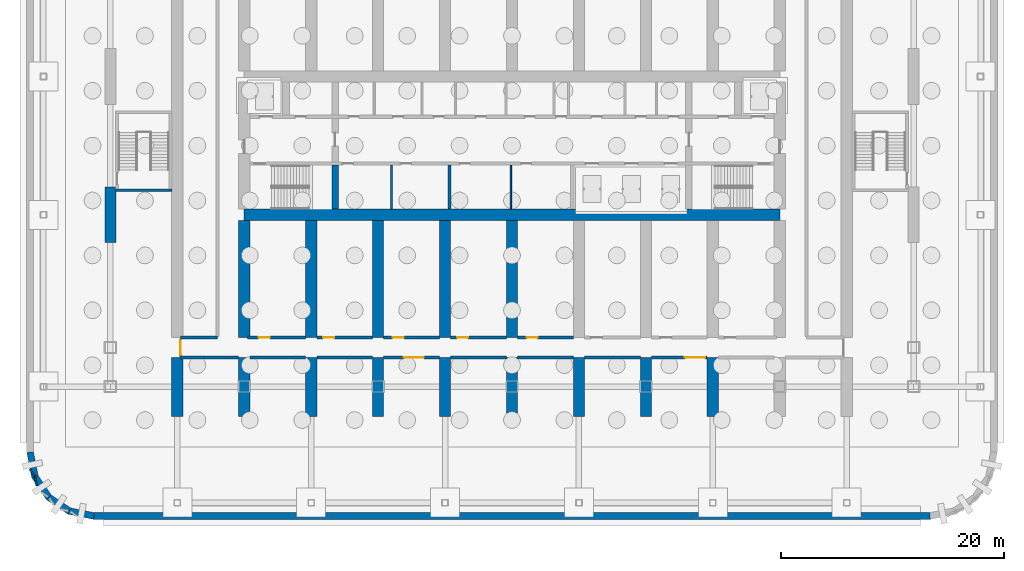
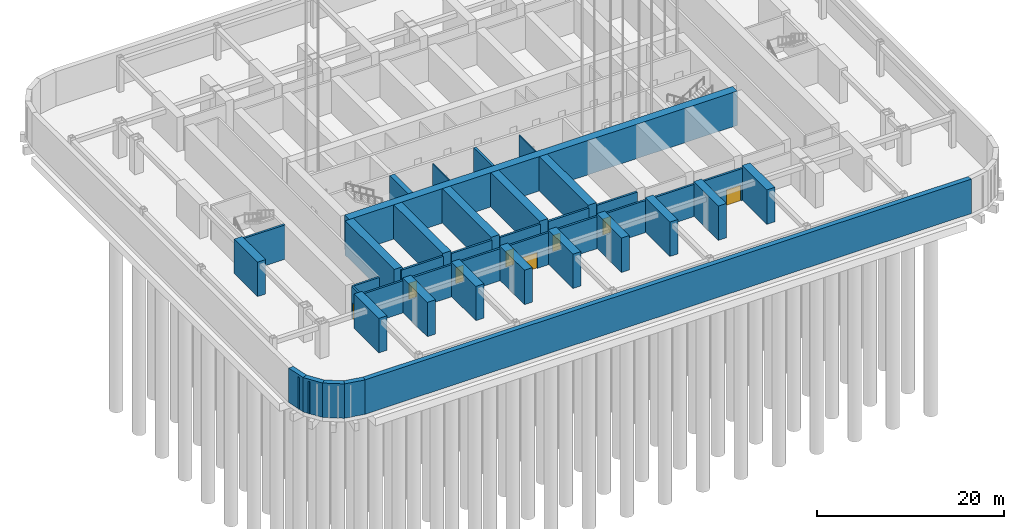
# One storey, part 3 of 28: 43 walls, 8 doors, 8 openings.
"""IFC4 building model written with IfcOpenShell, lengths in metres."""

from ifc_helpers import new_model, si_unit, direction, frame, frame_2d, origin, place, context, subcontext, project, spatial, polyline, rectangle, outline, extrude, material, layer, layer_set, type_object, element, fill, save


model = new_model("IFC4")

# Units and contexts
model_context = context("Model", 3, precision=1e-05, world=origin(), true_north=direction((0.0, 1.0)))
body_context = subcontext(model_context, "Body", "Model", "MODEL_VIEW")
ifc_project = project(units=[si_unit("LENGTHUNIT", "METRE"), si_unit("AREAUNIT", "SQUARE_METRE"), si_unit("VOLUMEUNIT", "CUBIC_METRE"), si_unit("PLANEANGLEUNIT", "RADIAN"), si_unit("MASSUNIT", "GRAM", prefix="KILO")], contexts=[model_context])

# Site, building, storey
site_placement = place(None, origin())
site = spatial("IfcSite", under=ifc_project, at=site_placement, CompositionType="ELEMENT")
building_placement = place(site_placement, origin())
building = spatial("IfcBuilding", under=site, at=building_placement, Name="Orbita Commons", CompositionType="ELEMENT")
storey_placement = place(building_placement, frame((0.0, 0.0, -9.0)))
storey = spatial("IfcBuildingStorey", under=building, at=storey_placement, Name="L-02", CompositionType="ELEMENT", Elevation=-9.0)

# Walls
ifc_material_1 = material(Name="Concrete blockwork", Category="masonry")
ifc_layer_1 = layer(ifc_material_1, 0.25)
ifc_layer_set_1 = layer_set([ifc_layer_1], Name="Concrete blockwork")
wall_type_1 = type_object("IfcWallType", Name="Basement wall 250 blockwork", PredefinedType="SOLIDWALL", material=ifc_layer_set_1)
wall_1_placement = place(storey_placement, frame((12.300048828125, 13.0, 0.0), z_axis=(0.0, 0.0, 1.0), x_axis=(1.0, 0.0, 0.0)))
element("IfcWall", 1, at=wall_1_placement, inside=storey, type_object=wall_type_1, Name="Basement wall 250 blockwork L-02", PredefinedType="SOLIDWALL", context=body_context, shape_type="SweptSolid", body=[
    extrude(rectangle(XDim=5.199951171875, YDim=0.25, at=frame_2d((2.60009765625, 0.0))), origin(), (0.0, 0.0, 1.0), 4.199951171875),
])
for number, where, z_axis, x_axis, name in (
    (2, (18.5, 13.0, 0.0), (0.0, 0.0, 1.0), (1.0, 0.0, 0.0), "Basement wall 250 blockwork L-02"),
    (3, (24.5, 13.0, 0.0), (0.0, 0.0, 1.0), (1.0, 0.0, 0.0), "Basement wall 250 blockwork L-02"),
):
    element("IfcWall", number, at=place(storey_placement, frame(where, z_axis=z_axis, x_axis=x_axis)), inside=storey, type_object=wall_type_1, Name=name, PredefinedType="SOLIDWALL", context=body_context, shape_type="SweptSolid", body=[
        extrude(rectangle(XDim=5.0, YDim=0.25, at=frame_2d((2.5, 0.0))), origin(), (0.0, 0.0, 1.0), 4.199951171875),
    ])

# Wall, opening, door
wall_2_placement = place(storey_placement, frame((30.5, 13.0, 0.0), z_axis=(0.0, 0.0, 1.0), x_axis=(1.0, 0.0, 0.0)))
wall_2 = element("IfcWall", 4, at=wall_2_placement, inside=storey, type_object=wall_type_1, Name="Basement wall 250 blockwork L-02", PredefinedType="SOLIDWALL", context=body_context, shape_type="SweptSolid", body=[
    extrude(rectangle(XDim=5.0, YDim=0.25, at=frame_2d((2.5, 0.0))), origin(), (0.0, 0.0, 1.0), 4.199951171875),
])
opening_1_placement = place(wall_2_placement, frame((1.800048828125, 0.0, 0.0)))
opening_1 = element("IfcOpeningElement", 5, at=opening_1_placement, cuts=wall_2, Name="Opening D07", PredefinedType="OPENING", context=body_context, shape_type="SweptSolid", body=[
    extrude(rectangle(XDim=1.800048828125, YDim=2.10009765625, at=frame_2d((0.89990234375, 1.050048828125))), frame((0.0, 0.135009765625, 0.0), z_axis=(0.0, -1.0, 0.0), x_axis=(1.0, 0.0, 0.0)), (0.0, 0.0, 1.0), 0.27001953125),
])
ifc_material_2 = material(Name="Steel-faced fire door leaf", Category="steel")
door_type_1 = type_object("IfcDoorType", Name="Double corridor door 20 min 1800x2100", OperationType="DOUBLE_DOOR_SINGLE_SWING", PredefinedType="DOOR", material=ifc_material_2)
door_1_placement = place(opening_1_placement, origin())
door_1 = element("IfcDoor", 6, at=door_1_placement, inside=storey, type_object=door_type_1, Name="Hall doors south", OperationType="DOUBLE_DOOR_SINGLE_SWING", OverallHeight=2.10009765625, OverallWidth=1.800048828125, PredefinedType="DOOR", context=body_context, shape_type="SweptSolid", body=[
    extrude(rectangle(XDim=1.800048828125, YDim=2.10009765625, at=frame_2d((0.89990234375, 1.050048828125))), frame((0.0, 0.02490234375, 0.0), z_axis=(0.0, -1.0, 0.0), x_axis=(1.0, 0.0, 0.0)), (0.0, 0.0, 1.0), 0.050048828125),
])
fill(opening_1, door_1)

# Walls
for number, where, z_axis, x_axis, name in (
    (7, (36.5, 13.0, 0.0), (0.0, 0.0, 1.0), (1.0, 0.0, 0.0), "Basement wall 250 blockwork L-02"),
    (8, (42.5, 13.0, 0.0), (0.0, 0.0, 1.0), (1.0, 0.0, 0.0), "Basement wall 250 blockwork L-02"),
    (9, (48.5, 13.0, 0.0), (0.0, 0.0, 1.0), (1.0, 0.0, 0.0), "Basement wall 250 blockwork L-02"),
):
    element("IfcWall", number, at=place(storey_placement, frame(where, z_axis=z_axis, x_axis=x_axis)), inside=storey, type_object=wall_type_1, Name=name, PredefinedType="SOLIDWALL", context=body_context, shape_type="SweptSolid", body=[
        extrude(rectangle(XDim=5.0, YDim=0.25, at=frame_2d((2.5, 0.0))), origin(), (0.0, 0.0, 1.0), 4.199951171875),
    ])

# Wall, opening, door
wall_3_placement = place(storey_placement, frame((54.5, 13.0, 0.0), z_axis=(0.0, 0.0, 1.0), x_axis=(1.0, 0.0, 0.0)))
wall_3 = element("IfcWall", 10, at=wall_3_placement, inside=storey, type_object=wall_type_1, Name="Basement wall 250 blockwork L-02", PredefinedType="SOLIDWALL", context=body_context, shape_type="SweptSolid", body=[
    extrude(rectangle(XDim=5.0, YDim=0.25, at=frame_2d((2.5, 0.0))), origin(), (0.0, 0.0, 1.0), 4.199951171875),
])
opening_2_placement = place(wall_3_placement, frame((3.0, 0.0, 0.0)))
opening_2 = element("IfcOpeningElement", 11, at=opening_2_placement, cuts=wall_3, Name="Opening D07", PredefinedType="OPENING", context=body_context, shape_type="SweptSolid", body=[
    extrude(rectangle(XDim=1.800048828125, YDim=2.10009765625, at=frame_2d((0.89990234375, 1.050048828125))), frame((0.0, 0.135009765625, 0.0), z_axis=(0.0, -1.0, 0.0), x_axis=(1.0, 0.0, 0.0)), (0.0, 0.0, 1.0), 0.27001953125),
])
door_2_placement = place(opening_2_placement, origin())
door_2 = element("IfcDoor", 12, at=door_2_placement, inside=storey, type_object=door_type_1, Name="Hall doors south", OperationType="DOUBLE_DOOR_SINGLE_SWING", OverallHeight=2.10009765625, OverallWidth=1.800048828125, PredefinedType="DOOR", context=body_context, shape_type="SweptSolid", body=[
    extrude(rectangle(XDim=1.800048828125, YDim=2.10009765625, at=frame_2d((0.89990234375, 1.050048828125))), frame((0.0, 0.02490234375, 0.0), z_axis=(0.0, -1.0, 0.0), x_axis=(1.0, 0.0, 0.0)), (0.0, 0.0, 1.0), 0.050048828125),
])
fill(opening_2, door_2)

# Wall
wall_4_placement = place(storey_placement, frame((12.300048828125, 14.800048828125, 0.0), z_axis=(0.0, 0.0, 1.0), x_axis=(1.0, 0.0, 0.0)))
element("IfcWall", 13, at=wall_4_placement, inside=storey, type_object=wall_type_1, Name="Basement wall 250 blockwork L-02", PredefinedType="SOLIDWALL", context=body_context, shape_type="SweptSolid", body=[
    extrude(rectangle(XDim=3.300048828125, YDim=0.25, at=frame_2d((1.64990234375, 0.0))), origin(), (0.0, 0.0, 1.0), 4.199951171875),
])

# Wall, opening, door
wall_5_placement = place(storey_placement, frame((18.300048828125, 14.800048828125, 0.0), z_axis=(0.0, 0.0, 1.0), x_axis=(1.0, 0.0, 0.0)))
wall_5 = element("IfcWall", 14, at=wall_5_placement, inside=storey, type_object=wall_type_1, Name="Basement wall 250 blockwork L-02", PredefinedType="SOLIDWALL", context=body_context, shape_type="SweptSolid", body=[
    extrude(rectangle(XDim=5.199951171875, YDim=0.25, at=frame_2d((2.60009765625, 0.0))), origin(), (0.0, 0.0, 1.0), 4.199951171875),
])
opening_3_placement = place(wall_5_placement, frame((1.0, 0.0, 0.0)))
opening_3 = element("IfcOpeningElement", 15, at=opening_3_placement, cuts=wall_5, Name="Opening D06", PredefinedType="OPENING", context=body_context, shape_type="SweptSolid", body=[
    extrude(rectangle(XDim=1.0, YDim=2.10009765625, at=frame_2d((0.5, 1.050048828125))), frame((0.0, 0.135009765625, 0.0), z_axis=(0.0, -1.0, 0.0), x_axis=(1.0, 0.0, 0.0)), (0.0, 0.0, 1.0), 0.27001953125),
])
ifc_material_3 = material(Name="Steel-faced fire door leaf", Category="steel")
door_type_2 = type_object("IfcDoorType", Name="Corridor door 20 min 1000x2100", OperationType="SINGLE_SWING_LEFT", PredefinedType="DOOR", material=ifc_material_3)
door_3_placement = place(opening_3_placement, origin())
door_3 = element("IfcDoor", 16, at=door_3_placement, inside=storey, type_object=door_type_2, Name="Room door", OperationType="SINGLE_SWING_LEFT", OverallHeight=2.10009765625, OverallWidth=1.0, PredefinedType="DOOR", context=body_context, shape_type="SweptSolid", body=[
    extrude(rectangle(XDim=1.0, YDim=2.10009765625, at=frame_2d((0.5, 1.050048828125))), frame((0.0, 0.02490234375, 0.0), z_axis=(0.0, -1.0, 0.0), x_axis=(1.0, 0.0, 0.0)), (0.0, 0.0, 1.0), 0.050048828125),
])
fill(opening_3, door_3)

wall_6_placement = place(storey_placement, frame((24.5, 14.800048828125, 0.0), z_axis=(0.0, 0.0, 1.0), x_axis=(1.0, 0.0, 0.0)))
wall_6 = element("IfcWall", 17, at=wall_6_placement, inside=storey, type_object=wall_type_1, Name="Basement wall 250 blockwork L-02", PredefinedType="SOLIDWALL", context=body_context, shape_type="SweptSolid", body=[
    extrude(rectangle(XDim=5.0, YDim=0.25, at=frame_2d((2.5, 0.0))), origin(), (0.0, 0.0, 1.0), 4.199951171875),
])
opening_4_placement = place(wall_6_placement, frame((0.574951171875, 0.0, 0.0)))
opening_4 = element("IfcOpeningElement", 18, at=opening_4_placement, cuts=wall_6, Name="Opening D06", PredefinedType="OPENING", context=body_context, shape_type="SweptSolid", body=[
    extrude(rectangle(XDim=1.0, YDim=2.10009765625, at=frame_2d((0.5, 1.050048828125))), frame((0.0, 0.135009765625, 0.0), z_axis=(0.0, -1.0, 0.0), x_axis=(1.0, 0.0, 0.0)), (0.0, 0.0, 1.0), 0.27001953125),
])
door_4_placement = place(opening_4_placement, origin())
door_4 = element("IfcDoor", 19, at=door_4_placement, inside=storey, type_object=door_type_2, Name="Room door", OperationType="SINGLE_SWING_LEFT", OverallHeight=2.10009765625, OverallWidth=1.0, PredefinedType="DOOR", context=body_context, shape_type="SweptSolid", body=[
    extrude(rectangle(XDim=1.0, YDim=2.10009765625, at=frame_2d((0.5, 1.050048828125))), frame((0.0, 0.02490234375, 0.0), z_axis=(0.0, -1.0, 0.0), x_axis=(1.0, 0.0, 0.0)), (0.0, 0.0, 1.0), 0.050048828125),
])
fill(opening_4, door_4)

wall_7_placement = place(storey_placement, frame((30.5, 14.800048828125, 0.0), z_axis=(0.0, 0.0, 1.0), x_axis=(1.0, 0.0, 0.0)))
wall_7 = element("IfcWall", 20, at=wall_7_placement, inside=storey, type_object=wall_type_1, Name="Basement wall 250 blockwork L-02", PredefinedType="SOLIDWALL", context=body_context, shape_type="SweptSolid", body=[
    extrude(rectangle(XDim=5.0, YDim=0.25, at=frame_2d((2.5, 0.0))), origin(), (0.0, 0.0, 1.0), 4.199951171875),
])
opening_5_placement = place(wall_7_placement, frame((0.800048828125, 0.0, 0.0)))
opening_5 = element("IfcOpeningElement", 21, at=opening_5_placement, cuts=wall_7, Name="Opening D06", PredefinedType="OPENING", context=body_context, shape_type="SweptSolid", body=[
    extrude(rectangle(XDim=1.0, YDim=2.10009765625, at=frame_2d((0.5, 1.050048828125))), frame((0.0, 0.135009765625, 0.0), z_axis=(0.0, -1.0, 0.0), x_axis=(1.0, 0.0, 0.0)), (0.0, 0.0, 1.0), 0.27001953125),
])
door_5_placement = place(opening_5_placement, origin())
door_5 = element("IfcDoor", 22, at=door_5_placement, inside=storey, type_object=door_type_2, Name="Room door", OperationType="SINGLE_SWING_LEFT", OverallHeight=2.10009765625, OverallWidth=1.0, PredefinedType="DOOR", context=body_context, shape_type="SweptSolid", body=[
    extrude(rectangle(XDim=1.0, YDim=2.10009765625, at=frame_2d((0.5, 1.050048828125))), frame((0.0, 0.02490234375, 0.0), z_axis=(0.0, -1.0, 0.0), x_axis=(1.0, 0.0, 0.0)), (0.0, 0.0, 1.0), 0.050048828125),
])
fill(opening_5, door_5)

wall_8_placement = place(storey_placement, frame((36.5, 14.800048828125, 0.0), z_axis=(0.0, 0.0, 1.0), x_axis=(1.0, 0.0, 0.0)))
wall_8 = element("IfcWall", 23, at=wall_8_placement, inside=storey, type_object=wall_type_1, Name="Basement wall 250 blockwork L-02", PredefinedType="SOLIDWALL", context=body_context, shape_type="SweptSolid", body=[
    extrude(rectangle(XDim=5.0, YDim=0.25, at=frame_2d((2.5, 0.0))), origin(), (0.0, 0.0, 1.0), 4.199951171875),
])
opening_6_placement = place(wall_8_placement, frame((0.574951171875, 0.0, 0.0)))
opening_6 = element("IfcOpeningElement", 24, at=opening_6_placement, cuts=wall_8, Name="Opening D06", PredefinedType="OPENING", context=body_context, shape_type="SweptSolid", body=[
    extrude(rectangle(XDim=1.0, YDim=2.10009765625, at=frame_2d((0.5, 1.050048828125))), frame((0.0, 0.135009765625, 0.0), z_axis=(0.0, -1.0, 0.0), x_axis=(1.0, 0.0, 0.0)), (0.0, 0.0, 1.0), 0.27001953125),
])
door_6_placement = place(opening_6_placement, origin())
door_6 = element("IfcDoor", 25, at=door_6_placement, inside=storey, type_object=door_type_2, Name="Room door", OperationType="SINGLE_SWING_LEFT", OverallHeight=2.10009765625, OverallWidth=1.0, PredefinedType="DOOR", context=body_context, shape_type="SweptSolid", body=[
    extrude(rectangle(XDim=1.0, YDim=2.10009765625, at=frame_2d((0.5, 1.050048828125))), frame((0.0, 0.02490234375, 0.0), z_axis=(0.0, -1.0, 0.0), x_axis=(1.0, 0.0, 0.0)), (0.0, 0.0, 1.0), 0.050048828125),
])
fill(opening_6, door_6)

wall_9_placement = place(storey_placement, frame((42.5, 14.800048828125, 0.0), z_axis=(0.0, 0.0, 1.0), x_axis=(1.0, 0.0, 0.0)))
wall_9 = element("IfcWall", 26, at=wall_9_placement, inside=storey, type_object=wall_type_1, Name="Basement wall 250 blockwork L-02", PredefinedType="SOLIDWALL", context=body_context, shape_type="SweptSolid", body=[
    extrude(rectangle(XDim=5.0, YDim=0.25, at=frame_2d((2.5, 0.0))), origin(), (0.0, 0.0, 1.0), 4.199951171875),
])
opening_7_placement = place(wall_9_placement, frame((0.800048828125, 0.0, 0.0)))
opening_7 = element("IfcOpeningElement", 27, at=opening_7_placement, cuts=wall_9, Name="Opening D06", PredefinedType="OPENING", context=body_context, shape_type="SweptSolid", body=[
    extrude(rectangle(XDim=1.0, YDim=2.10009765625, at=frame_2d((0.5, 1.050048828125))), frame((0.0, 0.135009765625, 0.0), z_axis=(0.0, -1.0, 0.0), x_axis=(1.0, 0.0, 0.0)), (0.0, 0.0, 1.0), 0.27001953125),
])
door_7_placement = place(opening_7_placement, origin())
door_7 = element("IfcDoor", 28, at=door_7_placement, inside=storey, type_object=door_type_2, Name="Room door", OperationType="SINGLE_SWING_LEFT", OverallHeight=2.10009765625, OverallWidth=1.0, PredefinedType="DOOR", context=body_context, shape_type="SweptSolid", body=[
    extrude(rectangle(XDim=1.0, YDim=2.10009765625, at=frame_2d((0.5, 1.050048828125))), frame((0.0, 0.02490234375, 0.0), z_axis=(0.0, -1.0, 0.0), x_axis=(1.0, 0.0, 0.0)), (0.0, 0.0, 1.0), 0.050048828125),
])
fill(opening_7, door_7)

wall_10_placement = place(storey_placement, frame((12.300048828125, 13.10009765625, 0.0), z_axis=(0.0, 0.0, 1.0), x_axis=(0.0, 1.0, 0.0)))
wall_10 = element("IfcWall", 29, at=wall_10_placement, inside=storey, type_object=wall_type_1, Name="Basement wall 250 blockwork L-02", PredefinedType="SOLIDWALL", context=body_context, shape_type="SweptSolid", body=[
    extrude(rectangle(XDim=1.599853515625, YDim=0.25, at=frame_2d((0.7998046875, 0.0))), origin(), (0.0, 0.0, 1.0), 4.199951171875),
])
opening_8_placement = place(wall_10_placement, frame((0.10009765625, 0.0, 0.0)))
opening_8 = element("IfcOpeningElement", 30, at=opening_8_placement, cuts=wall_10, Name="Opening D08", PredefinedType="OPENING", context=body_context, shape_type="SweptSolid", body=[
    extrude(rectangle(XDim=1.39990234375, YDim=2.10009765625, at=frame_2d((0.699951171875, 1.050048828125))), frame((0.0, 0.135009765625, 0.0), z_axis=(0.0, -1.0, 0.0), x_axis=(1.0, 0.0, 0.0)), (0.0, 0.0, 1.0), 0.27001953125),
])
ifc_material_4 = material(Name="Steel-faced fire door leaf", Category="steel")
door_type_3 = type_object("IfcDoorType", Name="Double corridor door 20 min 1400x2100", OperationType="DOUBLE_DOOR_SINGLE_SWING", PredefinedType="DOOR", material=ifc_material_4)
door_8_placement = place(opening_8_placement, origin())
door_8 = element("IfcDoor", 31, at=door_8_placement, inside=storey, type_object=door_type_3, Name="End room doors", OperationType="DOUBLE_DOOR_SINGLE_SWING", OverallHeight=2.10009765625, OverallWidth=1.39990234375, PredefinedType="DOOR", context=body_context, shape_type="SweptSolid", body=[
    extrude(rectangle(XDim=1.39990234375, YDim=2.10009765625, at=frame_2d((0.699951171875, 1.050048828125))), frame((0.0, 0.02490234375, 0.0), z_axis=(0.0, -1.0, 0.0), x_axis=(1.0, 0.0, 0.0)), (0.0, 0.0, 1.0), 0.050048828125),
])
fill(opening_8, door_8)

# Walls
ifc_material_5 = material(Name="Concrete C50/60", Category="concrete")
ifc_layer_2 = layer(ifc_material_5, 0.300048828125)
ifc_layer_set_2 = layer_set([ifc_layer_2], Name="Concrete C50/60")
wall_type_2 = type_object("IfcWallType", Name="Core inner wall 300 C50/60", PredefinedType="SHEAR", material=ifc_layer_set_2)
wall_11_placement = place(storey_placement, frame((36.39990234375, 26.300048828125, 0.0), z_axis=(0.0, 0.0, 1.0), x_axis=(0.0, 1.0, 0.0)))
element("IfcWall", 32, at=wall_11_placement, inside=storey, type_object=wall_type_2, Name="Hoistway division wall L-02", PredefinedType="SHEAR", context=body_context, shape_type="SweptSolid", body=[
    extrude(rectangle(XDim=3.949951171875, YDim=0.300048828125, at=frame_2d((1.97509765625, 0.0))), origin(), (0.0, 0.0, 1.0), 4.5),
])
ifc_material_6 = material(Name="Concrete C50/60", Category="concrete")
ifc_layer_3 = layer(ifc_material_6, 0.60009765625)
ifc_layer_set_3 = layer_set([ifc_layer_3], Name="Concrete C50/60")
wall_type_3 = type_object("IfcWallType", Name="Core inner wall 600 C50/60", PredefinedType="SHEAR", material=ifc_layer_set_3)
wall_12_placement = place(storey_placement, frame((26.14990234375, 26.300048828125, 0.0), z_axis=(0.0, 0.0, 1.0), x_axis=(0.0, 1.0, 0.0)))
element("IfcWall", 33, at=wall_12_placement, inside=storey, type_object=wall_type_3, Name="Stair S1 wall L-02", PredefinedType="SHEAR", context=body_context, shape_type="SweptSolid", body=[
    extrude(rectangle(XDim=3.949951171875, YDim=0.60009765625, at=frame_2d((1.97509765625, 0.0))), origin(), (0.0, 0.0, 1.0), 4.5),
])
ifc_material_7 = material(Name="Concrete blockwork", Category="masonry")
ifc_layer_4 = layer(ifc_material_7, 0.14990234375)
ifc_layer_set_4 = layer_set([ifc_layer_4], Name="Concrete blockwork")
wall_type_4 = type_object("IfcWallType", Name="Core partition 150 blockwork", PredefinedType="SOLIDWALL", material=ifc_layer_set_4)
for number, where, z_axis, x_axis, name in (
    (34, (31.199951171875, 26.300048828125, 0.0), (0.0, 0.0, 1.0), (0.0, 1.0, 0.0), "Core partition 150 blockwork L-02"),
    (35, (41.89990234375, 26.300048828125, 0.0), (0.0, 0.0, 1.0), (0.0, 1.0, 0.0), "Core partition 150 blockwork L-02"),
):
    element("IfcWall", number, at=place(storey_placement, frame(where, z_axis=z_axis, x_axis=x_axis)), inside=storey, type_object=wall_type_4, Name=name, PredefinedType="SOLIDWALL", context=body_context, shape_type="SweptSolid", body=[
        extrude(rectangle(XDim=3.949951171875, YDim=0.14990234375, at=frame_2d((1.97509765625, 0.0))), origin(), (0.0, 0.0, 1.0), 4.199951171875),
    ])
ifc_material_8 = material(Name="Concrete C50/60", Category="concrete")
ifc_layer_5 = layer(ifc_material_8, 1.0)
ifc_layer_set_5 = layer_set([ifc_layer_5], Name="Concrete C50/60")
wall_type_5 = type_object("IfcWallType", Name="Core wall 1000 C50/60", PredefinedType="SHEAR", material=ifc_layer_set_5)
wall_13_placement = place(storey_placement, frame((18.0, 25.800048828125, 0.0), z_axis=(0.0, 0.0, 1.0), x_axis=(1.0, 0.0, 0.0)))
element("IfcWall", 36, at=wall_13_placement, inside=storey, type_object=wall_type_5, Name="Core spine wall south L-02", PredefinedType="SHEAR", context=body_context, shape_type="SweptSolid", body=[
    extrude(rectangle(XDim=48.0, YDim=1.0, at=frame_2d((24.0, 0.0))), origin(), (0.0, 0.0, 1.0), 4.5),
])
ifc_material_9 = material(Name="Concrete C50/60", Category="concrete")
ifc_layer_6 = layer(ifc_material_9, 1.0)
ifc_layer_set_6 = layer_set([ifc_layer_6], Name="Concrete C50/60")
wall_type_6 = type_object("IfcWallType", Name="Cross wall 1000 C50/60", PredefinedType="SHEAR", material=ifc_layer_set_6)
for number, where, z_axis, x_axis, name in (
    (37, (12.0, 7.699951171875, 0.0), (0.0, 0.0, 1.0), (0.0, 1.0, 0.0), "Cross wall 3 south outer L-02"),
    (38, (18.0, 7.699951171875, 0.0), (0.0, 0.0, 1.0), (0.0, 1.0, 0.0), "Cross wall 4 south outer L-02"),
):
    element("IfcWall", number, at=place(storey_placement, frame(where, z_axis=z_axis, x_axis=x_axis)), inside=storey, type_object=wall_type_6, Name=name, PredefinedType="SHEAR", context=body_context, shape_type="SweptSolid", body=[
        extrude(rectangle(XDim=5.300048828125, YDim=1.0, at=frame_2d((2.64990234375, 0.0))), origin(), (0.0, 0.0, 1.0), 4.5),
    ])
wall_14_placement = place(storey_placement, frame((18.0, 14.800048828125, 0.0), z_axis=(0.0, 0.0, 1.0), x_axis=(0.0, 1.0, 0.0)))
element("IfcWall", 39, at=wall_14_placement, inside=storey, type_object=wall_type_6, Name="Cross wall 4 south inner L-02", PredefinedType="SHEAR", context=body_context, shape_type="SweptSolid", body=[
    extrude(rectangle(XDim=10.5, YDim=1.0, at=frame_2d((5.25, 0.0))), origin(), (0.0, 0.0, 1.0), 4.5),
])
wall_15_placement = place(storey_placement, frame((24.0, 7.699951171875, 0.0), z_axis=(0.0, 0.0, 1.0), x_axis=(0.0, 1.0, 0.0)))
element("IfcWall", 40, at=wall_15_placement, inside=storey, type_object=wall_type_6, Name="Cross wall 5 south outer L-02", PredefinedType="SHEAR", context=body_context, shape_type="SweptSolid", body=[
    extrude(rectangle(XDim=5.300048828125, YDim=1.0, at=frame_2d((2.64990234375, 0.0))), origin(), (0.0, 0.0, 1.0), 4.5),
])
wall_16_placement = place(storey_placement, frame((24.0, 14.800048828125, 0.0), z_axis=(0.0, 0.0, 1.0), x_axis=(0.0, 1.0, 0.0)))
element("IfcWall", 41, at=wall_16_placement, inside=storey, type_object=wall_type_6, Name="Cross wall 5 south inner L-02", PredefinedType="SHEAR", context=body_context, shape_type="SweptSolid", body=[
    extrude(rectangle(XDim=10.5, YDim=1.0, at=frame_2d((5.25, 0.0))), origin(), (0.0, 0.0, 1.0), 4.5),
])
wall_17_placement = place(storey_placement, frame((30.0, 7.699951171875, 0.0), z_axis=(0.0, 0.0, 1.0), x_axis=(0.0, 1.0, 0.0)))
element("IfcWall", 42, at=wall_17_placement, inside=storey, type_object=wall_type_6, Name="Cross wall 6 south outer L-02", PredefinedType="SHEAR", context=body_context, shape_type="SweptSolid", body=[
    extrude(rectangle(XDim=5.300048828125, YDim=1.0, at=frame_2d((2.64990234375, 0.0))), origin(), (0.0, 0.0, 1.0), 4.5),
])
wall_18_placement = place(storey_placement, frame((30.0, 14.800048828125, 0.0), z_axis=(0.0, 0.0, 1.0), x_axis=(0.0, 1.0, 0.0)))
element("IfcWall", 43, at=wall_18_placement, inside=storey, type_object=wall_type_6, Name="Cross wall 6 south inner L-02", PredefinedType="SHEAR", context=body_context, shape_type="SweptSolid", body=[
    extrude(rectangle(XDim=10.5, YDim=1.0, at=frame_2d((5.25, 0.0))), origin(), (0.0, 0.0, 1.0), 4.5),
])
wall_19_placement = place(storey_placement, frame((36.0, 7.699951171875, 0.0), z_axis=(0.0, 0.0, 1.0), x_axis=(0.0, 1.0, 0.0)))
element("IfcWall", 44, at=wall_19_placement, inside=storey, type_object=wall_type_6, Name="Cross wall 7 south outer L-02", PredefinedType="SHEAR", context=body_context, shape_type="SweptSolid", body=[
    extrude(rectangle(XDim=5.300048828125, YDim=1.0, at=frame_2d((2.64990234375, 0.0))), origin(), (0.0, 0.0, 1.0), 4.5),
])
wall_20_placement = place(storey_placement, frame((36.0, 14.800048828125, 0.0), z_axis=(0.0, 0.0, 1.0), x_axis=(0.0, 1.0, 0.0)))
element("IfcWall", 45, at=wall_20_placement, inside=storey, type_object=wall_type_6, Name="Cross wall 7 south inner L-02", PredefinedType="SHEAR", context=body_context, shape_type="SweptSolid", body=[
    extrude(rectangle(XDim=10.5, YDim=1.0, at=frame_2d((5.25, 0.0))), origin(), (0.0, 0.0, 1.0), 4.5),
])
wall_21_placement = place(storey_placement, frame((42.0, 7.699951171875, 0.0), z_axis=(0.0, 0.0, 1.0), x_axis=(0.0, 1.0, 0.0)))
element("IfcWall", 46, at=wall_21_placement, inside=storey, type_object=wall_type_6, Name="Cross wall 8 south outer L-02", PredefinedType="SHEAR", context=body_context, shape_type="SweptSolid", body=[
    extrude(rectangle(XDim=5.300048828125, YDim=1.0, at=frame_2d((2.64990234375, 0.0))), origin(), (0.0, 0.0, 1.0), 4.5),
])
wall_22_placement = place(storey_placement, frame((42.0, 14.800048828125, 0.0), z_axis=(0.0, 0.0, 1.0), x_axis=(0.0, 1.0, 0.0)))
element("IfcWall", 47, at=wall_22_placement, inside=storey, type_object=wall_type_6, Name="Cross wall 8 south inner L-02", PredefinedType="SHEAR", context=body_context, shape_type="SweptSolid", body=[
    extrude(rectangle(XDim=10.5, YDim=1.0, at=frame_2d((5.25, 0.0))), origin(), (0.0, 0.0, 1.0), 4.5),
])
for number, where, z_axis, x_axis, name in (
    (48, (48.0, 7.699951171875, 0.0), (0.0, 0.0, 1.0), (0.0, 1.0, 0.0), "Cross wall 9 south outer L-02"),
    (49, (54.0, 7.699951171875, 0.0), (0.0, 0.0, 1.0), (0.0, 1.0, 0.0), "Cross wall 10 south outer L-02"),
    (50, (60.0, 7.699951171875, 0.0), (0.0, 0.0, 1.0), (0.0, 1.0, 0.0), "Cross wall 11 south outer L-02"),
):
    element("IfcWall", number, at=place(storey_placement, frame(where, z_axis=z_axis, x_axis=x_axis)), inside=storey, type_object=wall_type_6, Name=name, PredefinedType="SHEAR", context=body_context, shape_type="SweptSolid", body=[
        extrude(rectangle(XDim=5.300048828125, YDim=1.0, at=frame_2d((2.64990234375, 0.0))), origin(), (0.0, 0.0, 1.0), 4.5),
    ])
ifc_material_10 = material(Name="Concrete C50/60", Category="concrete")
ifc_layer_7 = layer(ifc_material_10, 1.0)
ifc_layer_set_7 = layer_set([ifc_layer_7], Name="Concrete C50/60")
wall_type_7 = type_object("IfcWallType", Name="End pier 1000x5000 C50/60", PredefinedType="SHEAR", material=ifc_layer_set_7)
wall_23_placement = place(storey_placement, frame((6.0, 23.300048828125, 0.0), z_axis=(0.0, 0.0, 1.0), x_axis=(0.0, 1.0, 0.0)))
element("IfcWall", 51, at=wall_23_placement, inside=storey, type_object=wall_type_7, Name="End pier 2/C L-02", PredefinedType="SHEAR", context=body_context, shape_type="SweptSolid", body=[
    extrude(rectangle(XDim=5.0, YDim=1.0, at=frame_2d((2.5, 0.0))), origin(), (0.0, 0.0, 1.0), 4.5),
])
ifc_material_11 = material(Name="Gypsum plasterboard on steel studs", Category="steel")
ifc_layer_8 = layer(ifc_material_11, 0.14990234375)
ifc_layer_set_8 = layer_set([ifc_layer_8], Name="Gypsum plasterboard on steel studs")
wall_type_8 = type_object("IfcWallType", Name="Partition 150 plasterboard", PredefinedType="PARTITIONING", material=ifc_layer_set_8)
wall_24_placement = place(storey_placement, frame((-0.7412109375, 2.222900390625, 0.0), z_axis=(0.0, 0.0, 1.0), x_axis=(0.195249055569, -0.980753692983, 0.0)))
element("IfcWall", 52, at=wall_24_placement, inside=storey, type_object=wall_type_8, Name="Partition 150 plasterboard L-02", PredefinedType="PARTITIONING", context=body_context, shape_type="SweptSolid", body=[
    extrude(rectangle(XDim=0.703857421875, YDim=0.14990234375, at=frame_2d((0.35205078125, 0.0))), origin(), (0.0, 0.0, 1.0), 4.199951171875),
])
wall_25_placement = place(storey_placement, frame((-0.816162109375, 2.404052734375, 0.0), z_axis=(0.0, 0.0, 1.0), x_axis=(-0.555500141576, 0.831516441635, 0.0)))
element("IfcWall", 53, at=wall_25_placement, inside=storey, type_object=wall_type_8, Name="Partition 150 plasterboard L-02", PredefinedType="PARTITIONING", context=body_context, shape_type="SweptSolid", body=[
    extrude(rectangle(XDim=0.7041015625, YDim=0.14990234375, at=frame_2d((0.35205078125, 0.0))), origin(), (0.0, 0.0, 1.0), 4.199951171875),
])
ifc_material_12 = material(Name="Concrete C50/60", Category="concrete")
ifc_layer_9 = layer(ifc_material_12, 0.25)
ifc_layer_set_9 = layer_set([ifc_layer_9], Name="Concrete C50/60")
wall_type_9 = type_object("IfcWallType", Name="Podium stair wall 250 RC", PredefinedType="SHEAR", material=ifc_layer_set_9)
wall_26_placement = place(storey_placement, frame((6.47509765625, 28.0, 0.0), z_axis=(0.0, 0.0, 1.0), x_axis=(1.0, 0.0, 0.0)))
element("IfcWall", 54, at=wall_26_placement, inside=storey, type_object=wall_type_9, Name="Podium stair PS1 wall s L-02", PredefinedType="SHEAR", context=body_context, shape_type="SweptSolid", body=[
    extrude(rectangle(XDim=5.0498046875, YDim=0.25, at=frame_2d((2.52490234375, 0.0))), origin(), (0.0, 0.0, 1.0), 4.5),
])
ifc_material_13 = material(Name="Concrete C50/60", Category="concrete")
ifc_layer_10 = layer(ifc_material_13, 0.60009765625)
ifc_layer_set_10 = layer_set([ifc_layer_10], Name="Concrete C50/60")
wall_type_10 = type_object("IfcWallType", Name="Retaining wall 600 C50/60", PredefinedType="SOLIDWALL", material=ifc_layer_set_10)
wall_27_placement = place(storey_placement, frame((-1.199951171875, 4.529541015625, 0.0), z_axis=(0.0, 0.0, 1.0), x_axis=(0.195052642224, -0.980792774628, 0.0)))
element("IfcWall", 55, at=wall_27_placement, inside=storey, type_object=wall_type_10, Name="Basement retaining wall L-02 16", PredefinedType="SOLIDWALL", context=body_context, shape_type="SweptSolid", body=[
    extrude(outline(polyline([(-0.029541015625, -0.300048828125), (2.311279296875, -0.300048828125), (2.192138671875, 0.300048828125), (0.029541015625, 0.300048828125), (-0.029541015625, -0.300048828125)])), origin(), (0.0, 0.0, 1.0), 4.5),
])
for number, where, z_axis, x_axis, name in (
    (56, (-0.7607421875, 2.321044921875, 0.0), (0.0, 0.0, 1.0), (0.555562047437, -0.831475081676, 0.0), "Basement retaining wall L-02 17"),
    (57, (0.4736328125, 0.4736328125, 0.0), (0.0, 0.0, 1.0), (0.831475081676, -0.555562047437, 0.0), "Basement retaining wall L-02 18"),
):
    element("IfcWall", number, at=place(storey_placement, frame(where, z_axis=z_axis, x_axis=x_axis)), inside=storey, type_object=wall_type_10, Name=name, PredefinedType="SOLIDWALL", context=body_context, shape_type="SweptSolid", body=[
        extrude(outline(polyline([(-0.0595703125, -0.300048828125), (2.281494140625, -0.300048828125), (2.162353515625, 0.300048828125), (0.0595703125, 0.300048828125), (-0.0595703125, -0.300048828125)])), origin(), (0.0, 0.0, 1.0), 4.5),
    ])
wall_28_placement = place(storey_placement, frame((2.321044921875, -0.7607421875, 0.0), z_axis=(0.0, 0.0, 1.0), x_axis=(0.980792774628, -0.195052642224, 0.0)))
element("IfcWall", 58, at=wall_28_placement, inside=storey, type_object=wall_type_10, Name="Basement retaining wall L-02 19", PredefinedType="SOLIDWALL", context=body_context, shape_type="SweptSolid", body=[
    extrude(outline(polyline([(-0.0595703125, -0.300048828125), (2.28125, -0.300048828125), (2.22216796875, 0.300048828125), (0.0595703125, 0.300048828125), (-0.0595703125, -0.300048828125)])), origin(), (0.0, 0.0, 1.0), 4.5),
])
wall_29_placement = place(storey_placement, frame((4.529541015625, -1.199951171875, 0.0), z_axis=(0.0, 0.0, 1.0), x_axis=(1.0, 0.0, 0.0)))
element("IfcWall", 59, at=wall_29_placement, inside=storey, type_object=wall_type_10, Name="Basement retaining wall L-02 20", PredefinedType="SOLIDWALL", context=body_context, shape_type="SweptSolid", body=[
    extrude(outline(polyline([(-0.029541015625, -0.300048828125), (74.970458984375, -0.300048828125), (74.911376953125, 0.300048828125), (0.029541015625, 0.300048828125), (-0.029541015625, -0.300048828125)])), origin(), (0.0, 0.0, 1.0), 4.5),
])

save(model, "model.ifc")
